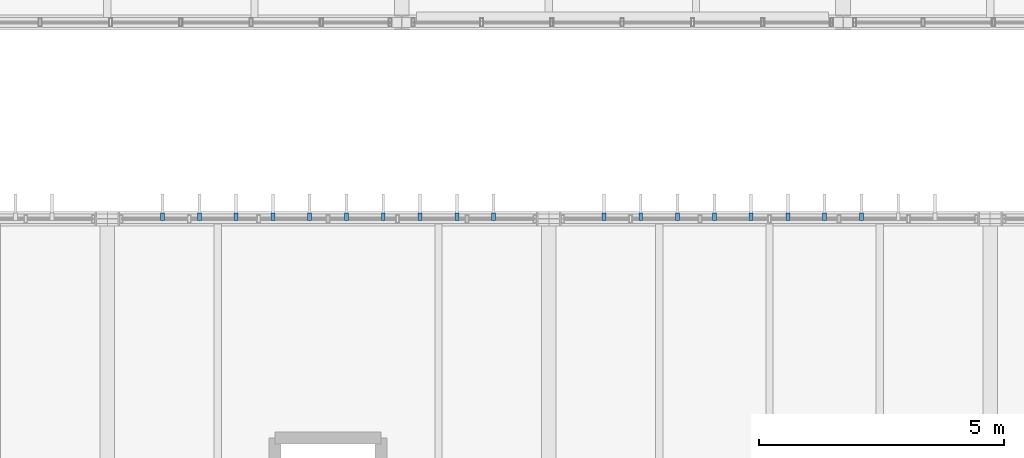
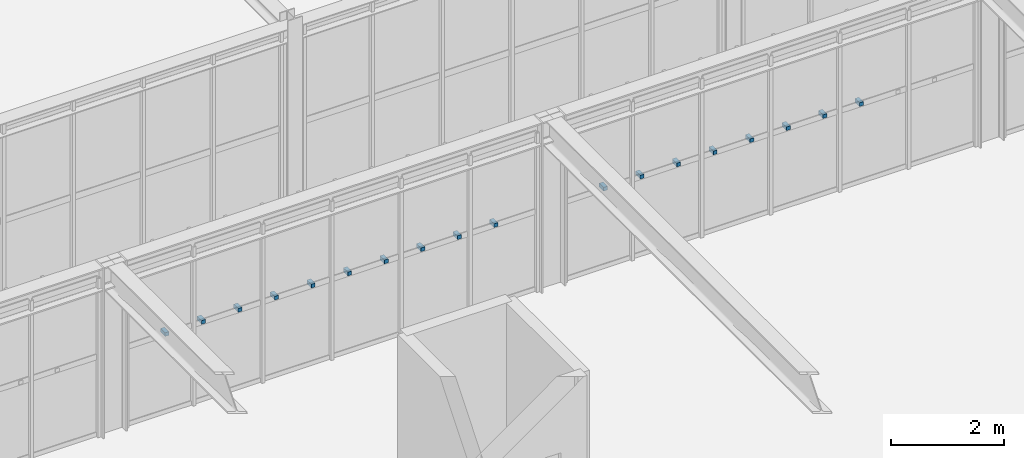
# One storey, part 135 of 152: 18 discrete accessories.
"""IFC4 building model written with IfcOpenShell, lengths in metres."""

from ifc_helpers import new_model, si_unit, derived_unit, direction, frame, origin, origin_2d, place, context, subcontext, project, spatial, rectangle, extrude, material, type_object, element, save


model = new_model("IFC4")

# Units and contexts
model_context = context("Model", 3, precision=1e-05, world=origin(), true_north=direction((0.0, 1.0)))
body_context = subcontext(model_context, "Body", "Model", "MODEL_VIEW")
ifc_project = project(units=[si_unit("LENGTHUNIT", "METRE"), si_unit("AREAUNIT", "SQUARE_METRE"), si_unit("VOLUMEUNIT", "CUBIC_METRE"), si_unit("PLANEANGLEUNIT", "RADIAN"), si_unit("MASSUNIT", "GRAM", prefix="KILO"), si_unit("THERMODYNAMICTEMPERATUREUNIT", "KELVIN"), si_unit("TIMEUNIT", "SECOND"), derived_unit("THERMALTRANSMITTANCEUNIT", [(si_unit("MASSUNIT", "GRAM", prefix="KILO"), 1), (si_unit("THERMODYNAMICTEMPERATUREUNIT", "KELVIN"), -1), (si_unit("TIMEUNIT", "SECOND"), -3)])], contexts=[model_context])

# Site, building, storey
site_placement = place(None, origin())
site = spatial("IfcSite", under=ifc_project, at=site_placement, CompositionType="ELEMENT")
building_placement = place(site_placement, origin())
building = spatial("IfcBuilding", under=site, at=building_placement, Name="Cambertide Market Hall", CompositionType="ELEMENT")
storey_placement = place(building_placement, frame((0.0, 0.0, 5.39990234375)))
storey = spatial("IfcBuildingStorey", under=building, at=storey_placement, Name="L02", CompositionType="ELEMENT", Elevation=5.39990234375)

# Discrete accessories
ifc_material = material(Name="Stainless Steel Grade 316", Category="metal")
discrete_accessory_type = type_object("IfcDiscreteAccessoryType", Name="Stainless Fin Outrigger Tie Bracket", PredefinedType="BRACKET", material=ifc_material)
for number, where, z_axis, x_axis, name in (
    (1, (61.125, 92.0400390625, 1.68505859375), (0.0, 0.0, 1.0), (1.0, 0.0, 0.0), "CW-V1N-L02-3 Fin Tie Bracket 1"),
    (2, (61.875, 92.0400390625, 1.68505859375), (0.0, 0.0, 1.0), (1.0, 0.0, 0.0), "CW-V1N-L02-3 Fin Tie Bracket 2"),
    (3, (62.625, 92.0400390625, 1.68505859375), (0.0, 0.0, 1.0), (1.0, 0.0, 0.0), "CW-V1N-L02-3 Fin Tie Bracket 3"),
    (4, (63.375, 92.0400390625, 1.68505859375), (0.0, 0.0, 1.0), (1.0, 0.0, 0.0), "CW-V1N-L02-3 Fin Tie Bracket 4"),
    (5, (64.125, 92.0400390625, 1.68505859375), (0.0, 0.0, 1.0), (1.0, 0.0, 0.0), "CW-V1N-L02-3 Fin Tie Bracket 5"),
    (6, (64.875, 92.0400390625, 1.68505859375), (0.0, 0.0, 1.0), (1.0, 0.0, 0.0), "CW-V1N-L02-3 Fin Tie Bracket 6"),
    (7, (65.625, 92.0400390625, 1.68505859375), (0.0, 0.0, 1.0), (1.0, 0.0, 0.0), "CW-V1N-L02-3 Fin Tie Bracket 7"),
    (8, (66.375, 92.0400390625, 1.68505859375), (0.0, 0.0, 1.0), (1.0, 0.0, 0.0), "CW-V1N-L02-3 Fin Tie Bracket 8"),
    (9, (67.125, 92.0400390625, 1.68505859375), (0.0, 0.0, 1.0), (1.0, 0.0, 0.0), "CW-V1N-L02-3 Fin Tie Bracket 9"),
    (10, (67.875, 92.0400390625, 1.68505859375), (0.0, 0.0, 1.0), (1.0, 0.0, 0.0), "CW-V1N-L02-3 Fin Tie Bracket 10"),
    (11, (70.125, 92.0400390625, 1.68505859375), (0.0, 0.0, 1.0), (1.0, 0.0, 0.0), "CW-V1N-L02-4 Fin Tie Bracket 1"),
    (12, (70.875, 92.0400390625, 1.68505859375), (0.0, 0.0, 1.0), (1.0, 0.0, 0.0), "CW-V1N-L02-4 Fin Tie Bracket 2"),
    (13, (71.625, 92.0400390625, 1.68505859375), (0.0, 0.0, 1.0), (1.0, 0.0, 0.0), "CW-V1N-L02-4 Fin Tie Bracket 3"),
    (14, (72.375, 92.0400390625, 1.68505859375), (0.0, 0.0, 1.0), (1.0, 0.0, 0.0), "CW-V1N-L02-4 Fin Tie Bracket 4"),
    (15, (73.125, 92.0400390625, 1.68505859375), (0.0, 0.0, 1.0), (1.0, 0.0, 0.0), "CW-V1N-L02-4 Fin Tie Bracket 5"),
    (16, (73.875, 92.0400390625, 1.68505859375), (0.0, 0.0, 1.0), (1.0, 0.0, 0.0), "CW-V1N-L02-4 Fin Tie Bracket 6"),
    (17, (74.625, 92.0400390625, 1.68505859375), (0.0, 0.0, 1.0), (1.0, 0.0, 0.0), "CW-V1N-L02-4 Fin Tie Bracket 7"),
    (18, (75.375, 92.0400390625, 1.68505859375), (0.0, 0.0, 1.0), (1.0, 0.0, 0.0), "CW-V1N-L02-4 Fin Tie Bracket 8"),
):
    element("IfcDiscreteAccessory", number, at=place(storey_placement, frame(where, z_axis=z_axis, x_axis=x_axis)), inside=storey, type_object=discrete_accessory_type, Name=name, PredefinedType="BRACKET", context=body_context, shape_type="SweptSolid", body=[
        extrude(rectangle(XDim=0.080078125, YDim=0.159912109375, at=origin_2d()), origin(), (0.0, 0.0, 1.0), 0.080078125),
    ])

save(model, "model.ifc")
